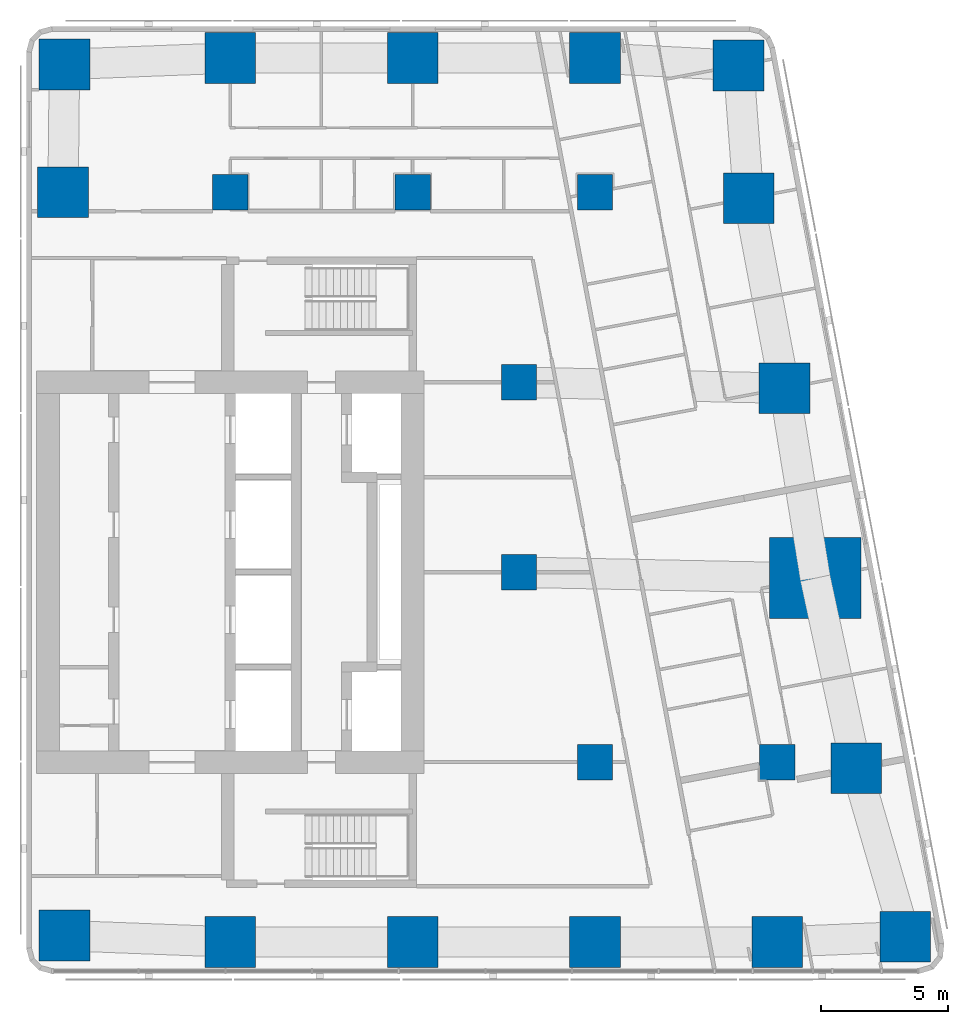
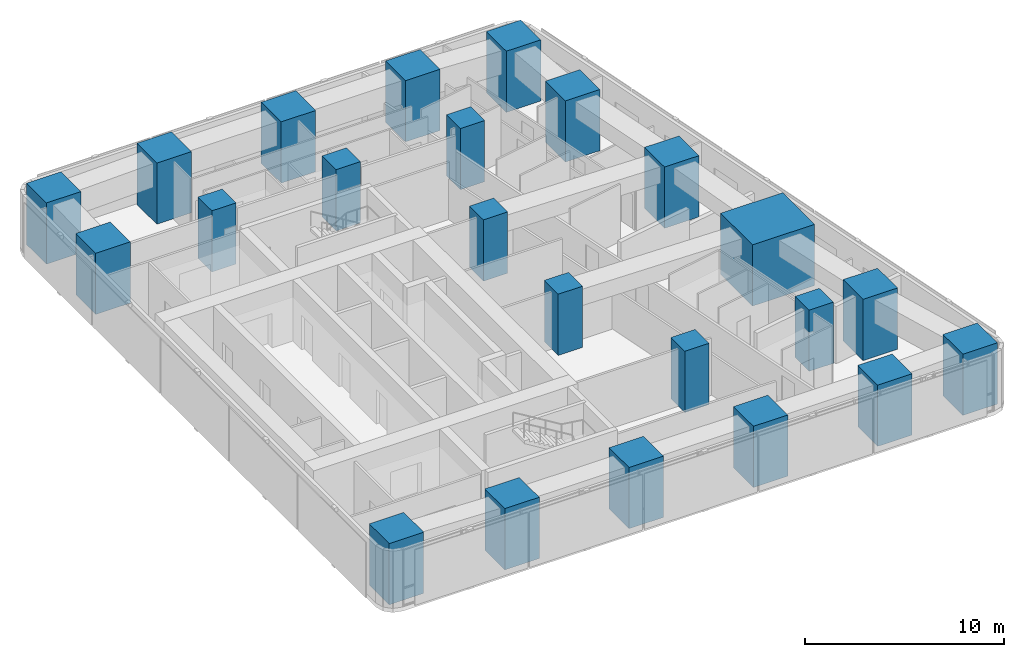
# One storey, part 1 of 11: 23 columns.
"""IFC4 building model written with IfcOpenShell, lengths in metres."""

import ifcopenshell
import ifcopenshell.guid

model = None  # the IFC model being written
_history = None  # IfcOwnerHistory: only IFC2X3 demands one
_inside = {}  # id of a spatial element -> (the spatial element, [elements in it])
_under = {}  # id of a project, library or spatial element -> (it, [spatial elements below it])
_declared = {}  # id of a project -> (the project, [libraries it declares])
_typed = {}  # id of a type object -> (the type object, [elements of that type])
_made_of = {}  # id of a material, layer set ... -> (it, [elements and type objects made of it])


def new_model(schema):
    """Start an empty IFC model of exactly this schema.

    Asked for "IFC4X3", IfcOpenShell would pick the latest addendum, in which some entities
    have other attributes; the version numbers below select the first issue.
    IFC2X3 requires an IfcOwnerHistory on every rooted entity: one is made here for all.
    """
    global model, _history
    if schema == "IFC4X3":
        model = ifcopenshell.file(schema_version=(4, 3, 0, 0))
    else:
        model = ifcopenshell.file(schema=schema)
    _inside.clear()
    _under.clear()
    _declared.clear()
    _typed.clear()
    _made_of.clear()
    _history = None
    if model.schema == "IFC2X3":
        org = make("IfcOrganization", Name="unknown")
        user = make(
            "IfcPersonAndOrganization",
            ThePerson=make("IfcPerson", FamilyName="unknown"),
            TheOrganization=org,
        )
        app = make(
            "IfcApplication",
            ApplicationDeveloper=org,
            Version="unknown",
            ApplicationFullName="unknown",
            ApplicationIdentifier="unknown",
        )
        _history = make(
            "IfcOwnerHistory",
            OwningUser=user,
            OwningApplication=app,
            ChangeAction="ADDED",
            CreationDate=0,
        )
    return model


def make(cls, **values):
    """One entity of the class cls with the attributes given. An attribute that is None is left unset."""
    return model.create_entity(
        cls, **{name: value for name, value in values.items() if value is not None}
    )


def rooted(cls, **values):
    """An entity with a GlobalId (a new one), such as an element, a storey or a relation."""
    return make(cls, GlobalId=ifcopenshell.guid.new(), OwnerHistory=_history, **values)


def si_unit(unit_type, name, prefix=None):
    """IfcSIUnit, for example si_unit("LENGTHUNIT", "METRE", prefix="MILLI")."""
    return make("IfcSIUnit", UnitType=unit_type, Prefix=prefix, Name=name)


def assignment(units):
    """IfcUnitAssignment: the units of a project."""
    return None if units is None else make("IfcUnitAssignment", Units=units)


def point(xyz):
    """IfcCartesianPoint."""
    return None if xyz is None else make("IfcCartesianPoint", Coordinates=xyz)


def direction(xyz):
    """IfcDirection."""
    return None if xyz is None else make("IfcDirection", DirectionRatios=xyz)


def frame(location, z_axis=None, x_axis=None):
    """IfcAxis2Placement3D, a coordinate frame: its origin and axes. An axis left out is left unset."""
    return make(
        "IfcAxis2Placement3D",
        Location=point(location),
        Axis=direction(z_axis),
        RefDirection=direction(x_axis),
    )


def frame_2d(location, x_axis=None):
    """IfcAxis2Placement2D, a coordinate frame in the plane: its origin and x axis."""
    return make(
        "IfcAxis2Placement2D", Location=point(location), RefDirection=direction(x_axis)
    )


def origin():
    """The frame at (0, 0, 0) with its axes left unset."""
    return frame((0.0, 0.0, 0.0))


def origin_2d():
    """The frame at (0, 0) in the plane with its x axis left unset."""
    return frame_2d((0.0, 0.0))


def place(relative_to, where):
    """IfcLocalPlacement: puts the frame where relative to a parent placement (None: the world)."""
    return make(
        "IfcLocalPlacement", PlacementRelTo=relative_to, RelativePlacement=where
    )


def context(
    kind, dimensions, precision=None, world=None, true_north=None, identifier=None
):
    """IfcGeometricRepresentationContext, for example the 3D "Model" context."""
    return make(
        "IfcGeometricRepresentationContext",
        ContextIdentifier=identifier,
        ContextType=kind,
        CoordinateSpaceDimension=dimensions,
        Precision=precision,
        WorldCoordinateSystem=world,
        TrueNorth=true_north,
    )


def subcontext(parent, identifier, kind, view, scale=None):
    """IfcGeometricRepresentationSubContext, for example "Body" below "Model"."""
    return make(
        "IfcGeometricRepresentationSubContext",
        ContextIdentifier=identifier,
        ContextType=kind,
        ParentContext=parent,
        TargetScale=scale,
        TargetView=view,
    )


def project(units=None, contexts=None):
    """IfcProject with its units and contexts."""
    return rooted(
        "IfcProject",
        Name="project",
        RepresentationContexts=contexts,
        UnitsInContext=assignment(units),
    )


def spatial(cls, under=None, at=None, **own):
    """A site, building, storey or space (cls), placed at a placement, below another one or the project."""
    s = rooted(cls, ObjectPlacement=at, **own)
    if under is not None:
        _under.setdefault(under.id(), (under, []))[1].append(s)
    return s


def profile(cls, at=None, kind="AREA", **sizes):
    """A parametric profile (cls). Its sizes go by their IFC names, for example OverallWidth=200.0."""
    return make(cls, ProfileType=kind, Position=at, **sizes)


def rectangle(**sizes):
    """IfcRectangleProfileDef."""
    return profile("IfcRectangleProfileDef", **sizes)


def extrude(swept, where, along, depth):
    """IfcExtrudedAreaSolid: the profile swept, set in the frame where, extruded along a direction by depth."""
    return make(
        "IfcExtrudedAreaSolid",
        SweptArea=swept,
        Position=where,
        ExtrudedDirection=direction(along),
        Depth=depth,
    )


def shape(context_of_items, identifier, shape_type, items):
    """IfcShapeRepresentation: the items that make up one representation, for example the "Body"."""
    return make(
        "IfcShapeRepresentation",
        ContextOfItems=context_of_items,
        RepresentationIdentifier=identifier,
        RepresentationType=shape_type,
        Items=items,
    )


def material(Name=None, Category=None):
    """IfcMaterial."""
    return make("IfcMaterial", Name=Name, Category=Category)


def material_profile(
    of_material, cross_section, Name=None, Category=None, Priority=None
):
    """IfcMaterialProfile: a cross section and its material."""
    return make(
        "IfcMaterialProfile",
        Name=Name,
        Material=of_material,
        Profile=cross_section,
        Priority=Priority,
        Category=Category,
    )


def profile_set(profiles, Name=None, composite=None):
    """IfcMaterialProfileSet."""
    return make(
        "IfcMaterialProfileSet",
        Name=Name,
        MaterialProfiles=profiles,
        CompositeProfile=composite,
    )


def made_of(thing, what):
    """Note that an element or type object is made of a material, layer set ...; save() writes the relation."""
    if what is not None:
        _made_of.setdefault(what.id(), (what, []))[1].append(thing)
    return thing


def type_object(cls, material=None, **own):
    """A type object (cls), such as IfcWallType, which elements share."""
    return made_of(rooted(cls, **own), material)


def element(
    cls,
    number,
    at=None,
    inside=None,
    cuts=None,
    type_object=None,
    material=None,
    context=None,
    identifier="Body",
    shape_type=None,
    held_by="IfcProductDefinitionShape",
    body=None,
    shapes=None,
    **own,
):
    """One element of the class cls, such as IfcWall. Its Tag is "e" and its number.

    at: its placement. inside: the storey or other place that contains it. cuts: it is an
    opening in that element (IfcRelVoidsElement). A single representation is given by context,
    identifier, shape_type and body (its items); several are given by shapes. held_by: the class
    of the entity that holds the representations. save() writes the other relations.
    """
    e = rooted(cls, Tag="e%d" % number, ObjectPlacement=at, **own)
    if body is not None:
        shapes = [shape(context, identifier, shape_type, body)]
    if shapes is not None:
        e.Representation = make(held_by, Representations=shapes)
    if inside is not None:
        _inside.setdefault(inside.id(), (inside, []))[1].append(e)
    if cuts is not None:
        rooted(
            "IfcRelVoidsElement", RelatingBuildingElement=cuts, RelatedOpeningElement=e
        )
    if type_object is not None:
        _typed.setdefault(type_object.id(), (type_object, []))[1].append(e)
    return made_of(e, material)


def aggregate(whole, parts):
    """IfcRelAggregates: a whole, such as a stair, and the parts it consists of."""
    return rooted("IfcRelAggregates", RelatingObject=whole, RelatedObjects=parts)


def save(model, path):
    """Write the relations noted so far, then the file.

    IfcRelAggregates (storeys below a building ...), IfcRelContainedInSpatialStructure (elements
    in a storey), IfcRelDefinesByType, IfcRelAssociatesMaterial and IfcRelDeclares: one each for
    every whole, place, type object, material and project.
    """
    for whole, parts in _under.values():
        aggregate(whole, parts)
    for where, things in _inside.values():
        rooted(
            "IfcRelContainedInSpatialStructure",
            RelatedElements=things,
            RelatingStructure=where,
        )
    for kind, things in _typed.values():
        rooted("IfcRelDefinesByType", RelatedObjects=things, RelatingType=kind)
    for what, things in _made_of.values():
        rooted("IfcRelAssociatesMaterial", RelatedObjects=things, RelatingMaterial=what)
    for by, libraries in _declared.values():
        rooted("IfcRelDeclares", RelatingContext=by, RelatedDefinitions=libraries)
    model.write(path)


model = new_model("IFC4")

# Units and contexts
model_context = context("Model", 3, precision=1e-05, world=origin(), true_north=direction((0.0, 1.0)))
body_context = subcontext(model_context, "Body", "Model", "MODEL_VIEW")
ifc_project = project(units=[si_unit("LENGTHUNIT", "METRE"), si_unit("AREAUNIT", "SQUARE_METRE"), si_unit("VOLUMEUNIT", "CUBIC_METRE"), si_unit("PLANEANGLEUNIT", "RADIAN"), si_unit("MASSUNIT", "GRAM", prefix="KILO")], contexts=[model_context])

# Site, building, storey
site_placement = place(None, origin())
site = spatial("IfcSite", under=ifc_project, at=site_placement, CompositionType="ELEMENT")
building_placement = place(site_placement, origin())
building = spatial("IfcBuilding", under=site, at=building_placement, Name="Sheger Commons Tower", CompositionType="ELEMENT")
storey_placement = place(building_placement, frame((0.0, 0.0, 266.60009765625)))
storey = spatial("IfcBuildingStorey", under=building, at=storey_placement, Name="L68", CompositionType="ELEMENT", Elevation=266.60009765625)

# Columns
ifc_material_1 = material(Name="Concrete C50/60", Category="concrete")
ifc_material_profile_1 = material_profile(ifc_material_1, rectangle(XDim=3.60009765625, YDim=3.199951171875, at=origin_2d()), Name="RC 3600x3200")
ifc_profile_set_1 = profile_set([ifc_material_profile_1], Name="Concrete C50/60")
column_type_1 = type_object("IfcColumnType", Name="COLUMN PIER RC 3600x3200", PredefinedType="COLUMN", material=ifc_profile_set_1)
column_placement = place(storey_placement, frame((44.697021484375, 22.262939453125, 0.0), z_axis=(0.0, 0.0, 1.0), x_axis=(1.0, 0.0, 0.0)))
element("IfcColumn", 1, at=column_placement, inside=storey, type_object=column_type_1, Name="Pier 7/D+E/D L68", PredefinedType="COLUMN", context=body_context, shape_type="SweptSolid", body=[
    extrude(rectangle(XDim=3.60009765625, YDim=3.199951171875, at=origin_2d()), origin(), (0.0, 0.0, 1.0), 3.75),
])
ifc_material_2 = material(Name="Concrete C50/60", Category="concrete")
ifc_material_profile_2 = material_profile(ifc_material_2, rectangle(XDim=1.39990234375, YDim=1.39990234375, at=origin_2d()), Name="RC 1400x1400")
ifc_profile_set_2 = profile_set([ifc_material_profile_2], Name="Concrete C50/60")
column_type_2 = type_object("IfcColumnType", Name="COLUMN RC 1400x1400", PredefinedType="COLUMN", material=ifc_profile_set_2)
for number, where, z_axis, x_axis, name in (
    (2, (36.0, 15.0, 0.0), (0.0, 0.0, 1.0), (1.0, 0.0, 0.0), "Column 6/C L68"),
    (3, (43.199951171875, 15.0, 0.0), (0.0, 0.0, 1.0), (1.0, 0.0, 0.0), "Column 7/C L68"),
    (4, (33.0, 22.5, 0.0), (0.0, 0.0, 1.0), (1.0, 0.0, 0.0), "Column 6-3000/D L68"),
    (5, (33.0, 30.0, 0.0), (0.0, 0.0, 1.0), (1.0, 0.0, 0.0), "Column 6-3000/E L68"),
    (6, (21.60009765625, 37.5, 0.0), (0.0, 0.0, 1.0), (1.0, 0.0, 0.0), "Column 4/F L68"),
    (7, (28.800048828125, 37.5, 0.0), (0.0, 0.0, 1.0), (1.0, 0.0, 0.0), "Column 5/F L68"),
    (8, (36.0, 37.5, 0.0), (0.0, 0.0, 1.0), (1.0, 0.0, 0.0), "Column 6/F L68"),
):
    element("IfcColumn", number, at=place(storey_placement, frame(where, z_axis=z_axis, x_axis=x_axis)), inside=storey, type_object=column_type_2, Name=name, PredefinedType="COLUMN", context=body_context, shape_type="SweptSolid", body=[
        extrude(rectangle(XDim=1.39990234375, YDim=1.39990234375, at=origin_2d()), origin(), (0.0, 0.0, 1.0), 3.75),
    ])
ifc_material_3 = material(Name="Concrete C50/60", Category="concrete")
ifc_material_profile_3 = material_profile(ifc_material_3, rectangle(XDim=2.0, YDim=2.0, at=origin_2d()), Name="RC 2000x2000")
ifc_profile_set_3 = profile_set([ifc_material_profile_3], Name="Concrete C50/60")
column_type_3 = type_object("IfcColumnType", Name="COLUMN RC 2000x2000", PredefinedType="COLUMN", material=ifc_profile_set_3)
for number, where, z_axis, x_axis, name in (
    (9, (15.053955078125, 8.154052734375, 0.0), (0.0, 0.0, 1.0), (1.0, 0.0, 0.0), "Column 3/B L68"),
    (10, (21.60009765625, 7.89990234375, 0.0), (0.0, 0.0, 1.0), (1.0, 0.0, 0.0), "Column 4/B L68"),
    (11, (28.800048828125, 7.89990234375, 0.0), (0.0, 0.0, 1.0), (1.0, 0.0, 0.0), "Column 5/B L68"),
    (12, (36.0, 7.89990234375, 0.0), (0.0, 0.0, 1.0), (1.0, 0.0, 0.0), "Column 6/B L68"),
    (13, (43.199951171875, 7.89990234375, 0.0), (0.0, 0.0, 1.0), (1.0, 0.0, 0.0), "Column 7/B L68"),
    (14, (48.251953125, 8.10693359375, 0.0), (0.0, 0.0, 1.0), (1.0, 0.0, 0.0), "Column E/B L68"),
    (15, (46.31396484375, 14.762939453125, 0.0), (0.0, 0.0, 1.0), (1.0, 0.0, 0.0), "Column E/C L68"),
    (16, (43.47998046875, 29.762939453125, 0.0), (0.0, 0.0, 1.0), (1.0, 0.0, 0.0), "Column E/E L68"),
    (17, (15.0, 37.5, 0.0), (0.0, 0.0, 1.0), (1.0, 0.0, 0.0), "Column 3/F L68"),
    (18, (42.06396484375, 37.262939453125, 0.0), (0.0, 0.0, 1.0), (1.0, 0.0, 0.0), "Column E/F L68"),
    (19, (15.053955078125, 42.5458984375, 0.0), (0.0, 0.0, 1.0), (1.0, 0.0, 0.0), "Column 3/G-1.8 L68"),
    (20, (21.60009765625, 42.800048828125, 0.0), (0.0, 0.0, 1.0), (1.0, 0.0, 0.0), "Column 4/G-1.8 L68"),
    (21, (28.800048828125, 42.800048828125, 0.0), (0.0, 0.0, 1.0), (1.0, 0.0, 0.0), "Column 5/G-1.8 L68"),
    (22, (36.0, 42.800048828125, 0.0), (0.0, 0.0, 1.0), (1.0, 0.0, 0.0), "Column 6/G-1.8 L68"),
    (23, (41.6669921875, 42.506103515625, 0.0), (0.0, 0.0, 1.0), (1.0, 0.0, 0.0), "Column E/G-1.8 L68"),
):
    element("IfcColumn", number, at=place(storey_placement, frame(where, z_axis=z_axis, x_axis=x_axis)), inside=storey, type_object=column_type_3, Name=name, PredefinedType="COLUMN", context=body_context, shape_type="SweptSolid", body=[
        extrude(rectangle(XDim=2.0, YDim=2.0, at=origin_2d()), origin(), (0.0, 0.0, 1.0), 3.75),
    ])

save(model, "model.ifc")
